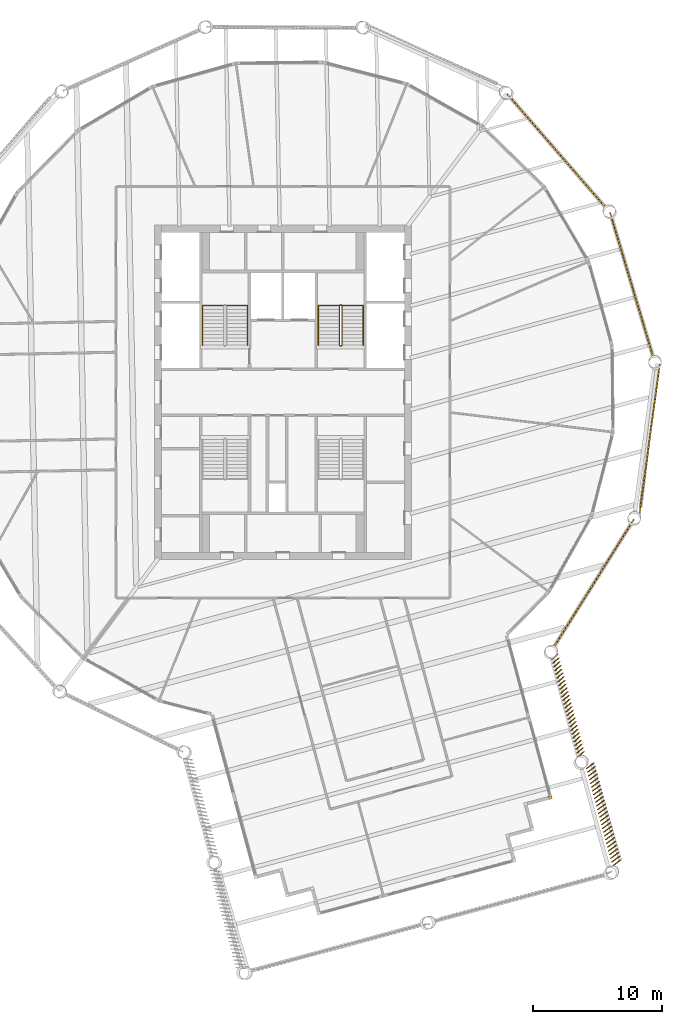
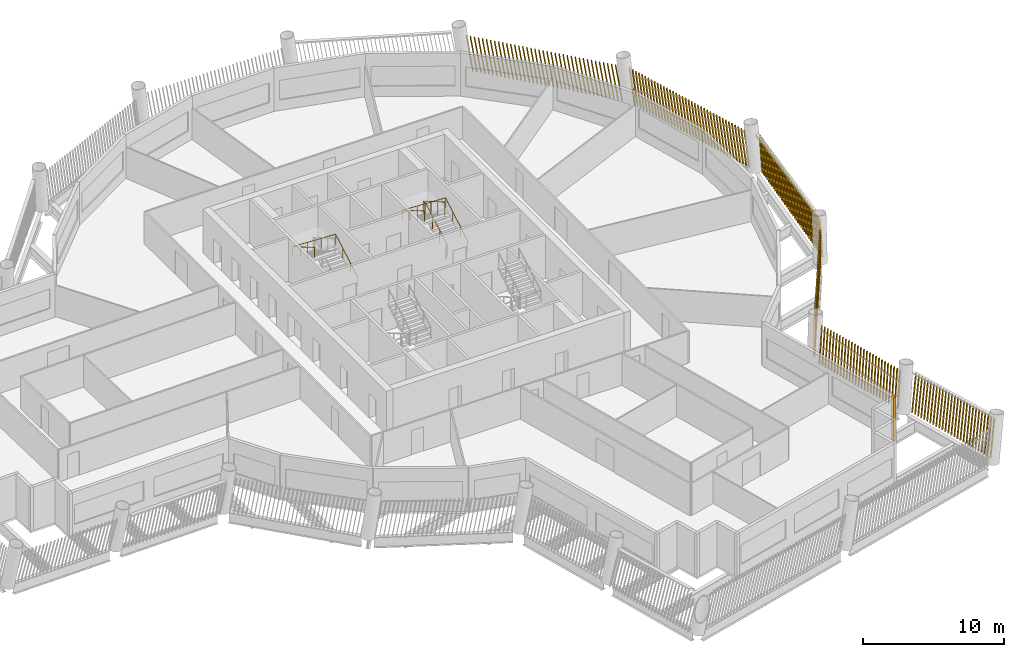
# One storey, part 13 of 15: 7 shading devices, 3 railings.
"""IFC4 building model written with IfcOpenShell, lengths in metres."""

from ifc_helpers import new_model, si_unit, direction, frame, frame_2d, origin, origin_2d, place, context, subcontext, project, spatial, rectangle, circle, composite_profile, extrude, material, type_object, element, save


model = new_model("IFC4")

# Units and contexts
model_context = context("Model", 3, precision=1e-05, world=origin(), true_north=direction((0.0, 1.0)))
body_context = subcontext(model_context, "Body", "Model", "MODEL_VIEW")
ifc_project = project(units=[si_unit("LENGTHUNIT", "METRE"), si_unit("AREAUNIT", "SQUARE_METRE"), si_unit("VOLUMEUNIT", "CUBIC_METRE"), si_unit("PLANEANGLEUNIT", "RADIAN"), si_unit("MASSUNIT", "GRAM", prefix="KILO")], contexts=[model_context])

# Site, building, storey
site_placement = place(None, origin())
site = spatial("IfcSite", under=ifc_project, at=site_placement, CompositionType="ELEMENT")
building_placement = place(site_placement, origin())
building = spatial("IfcBuilding", under=site, at=building_placement, Name="Tarsis Ring Headquarters", CompositionType="ELEMENT")
storey_placement = place(building_placement, frame((0.0, 0.0, 290.300048828125)))
storey = spatial("IfcBuildingStorey", under=building, at=storey_placement, Name="L68", CompositionType="ELEMENT", Elevation=290.300048828125)

# Railings
ifc_material_1 = material(Name="Steel S355", Category="steel")
railing_type_1 = type_object("IfcRailingType", Name="Core stair guard 1100", PredefinedType="GUARDRAIL", material=ifc_material_1)
railing_1_placement = place(storey_placement, frame((4.4599609375, 3.610107421875, 0.0)))
element("IfcRailing", 1, at=railing_1_placement, inside=storey, type_object=railing_type_1, Name="L68 ST2 stair guard 1", PredefinedType="GUARDRAIL", context=body_context, shape_type="SweptSolid", body=[
    extrude(circle(Radius=0.02392578125, at=origin_2d()), frame((0.0, 0.0, 1.076171875), z_axis=(1.0, 0.0, 0.0), x_axis=(0.0, 1.0, 0.0)), (0.0, 0.0, 1.0), 0.080078125),
    extrude(circle(Radius=0.02392578125, at=origin_2d()), frame((0.080078125, 0.0, 1.076171875), z_axis=(0.282693820306, 0.281314826061, 0.917031173188), x_axis=(-0.705375805398, 0.708833529934, 0.0)), (0.0, 0.0, 1.0), 0.177001953125),
    extrude(circle(Radius=0.02392578125, at=origin_2d()), frame((0.130126953125, 0.0498046875, 1.23828125), z_axis=(0.0, 0.864890721111, 0.501960198159), x_axis=(-1.0, 0.0, 0.0)), (0.0, 0.0, 1.0), 3.561279296875),
    extrude(circle(Radius=0.02392578125, at=origin_2d()), frame((0.130126953125, 3.1298828125, 3.02587890625), z_axis=(-0.707106781187, 0.707106781187, 0.0), x_axis=(-0.707106781187, -0.707106781187, 0.0)), (0.0, 0.0, 1.0), 0.07080078125),
    extrude(circle(Radius=0.02392578125, at=origin_2d()), frame((0.080078125, 3.179931640625, 3.02587890625), z_axis=(-1.0, 0.0, 0.0), x_axis=(0.0, -1.0, 0.0)), (0.0, 0.0, 1.0), 0.080078125),
    extrude(circle(Radius=0.02392578125, at=origin_2d()), frame((0.0, 3.179931640625, 3.02587890625), z_axis=(-0.282227285176, -0.282227285176, 0.916894497205), x_axis=(0.707106781187, -0.707106781187, 0.0)), (0.0, 0.0, 1.0), 0.17724609375),
    extrude(circle(Radius=0.02392578125, at=origin_2d()), frame((-0.050048828125, 3.1298828125, 3.1884765625), z_axis=(0.0, -0.864920483161, 0.501908913857), x_axis=(1.0, 0.0, 0.0)), (0.0, 0.0, 1.0), 3.56103515625),
    extrude(circle(Radius=0.02099609375, at=origin_2d()), origin(), (0.0, 0.0, 1.0), 1.052001953125),
    extrude(circle(Radius=0.02099609375, at=origin_2d()), frame((0.080078125, 0.0, 0.0)), (0.0, 0.0, 1.0), 1.052001953125),
    extrude(circle(Radius=0.02099609375, at=origin_2d()), frame((0.130126953125, 0.0498046875, 0.162353515625)), (0.0, 0.0, 1.0), 1.052001953125),
    extrude(circle(Radius=0.02099609375, at=origin_2d()), frame((0.130126953125, 1.076416015625, 0.75830078125)), (0.0, 0.0, 1.0), 1.052001953125),
    extrude(circle(Radius=0.02099609375, at=origin_2d()), frame((0.130126953125, 2.103271484375, 1.35400390625)), (0.0, 0.0, 1.0), 1.052001953125),
    extrude(circle(Radius=0.02099609375, at=origin_2d()), frame((0.130126953125, 3.1298828125, 1.949951171875)), (0.0, 0.0, 1.0), 1.052001953125),
    extrude(circle(Radius=0.02099609375, at=origin_2d()), frame((0.080078125, 3.179931640625, 1.949951171875)), (0.0, 0.0, 1.0), 1.052001953125),
    extrude(circle(Radius=0.02099609375, at=origin_2d()), frame((0.0, 3.179931640625, 1.949951171875)), (0.0, 0.0, 1.0), 1.052001953125),
    extrude(circle(Radius=0.02099609375, at=origin_2d()), frame((-0.050048828125, 3.1298828125, 2.112548828125)), (0.0, 0.0, 1.0), 1.052001953125),
    extrude(circle(Radius=0.02099609375, at=origin_2d()), frame((-0.050048828125, 2.103271484375, 2.708251953125)), (0.0, 0.0, 1.0), 1.052001953125),
    extrude(circle(Radius=0.02099609375, at=origin_2d()), frame((-0.050048828125, 1.076416015625, 3.30419921875)), (0.0, 0.0, 1.0), 1.052001953125),
    extrude(circle(Radius=0.02099609375, at=origin_2d()), frame((-0.050048828125, 0.0498046875, 3.89990234375)), (0.0, 0.0, 1.0), 1.052001953125),
])
railing_type_2 = type_object("IfcRailingType", Name="Core stair handrail 900", PredefinedType="HANDRAIL", material=ifc_material_1)
railing_2_placement = place(storey_placement, frame((-2.75, 3.659912109375, 0.162353515625)))
element("IfcRailing", 2, at=railing_2_placement, inside=storey, type_object=railing_type_2, Name="L68 ST1 stair handrail 1", PredefinedType="HANDRAIL", context=body_context, shape_type="SweptSolid", body=[
    extrude(circle(Radius=0.02392578125, at=origin_2d()), frame((0.0, 0.0, 0.8759765625), z_axis=(0.0, 0.864890721111, 0.501960198159), x_axis=(-1.0, 0.0, 0.0)), (0.0, 0.0, 1.0), 3.561279296875),
    extrude(circle(Radius=0.02392578125, at=origin_2d()), frame((0.0, 3.080078125, 2.66357421875), z_axis=(-0.998922641604, 0.0, 0.046406422943), x_axis=(0.0, -1.0, 0.0)), (0.0, 0.0, 1.0), 3.503662109375),
    extrude(circle(Radius=0.02392578125, at=origin_2d()), frame((-3.5, 3.080078125, 2.826171875), z_axis=(0.0, -0.864920483161, 0.501908913857), x_axis=(1.0, 0.0, 0.0)), (0.0, 0.0, 1.0), 3.56103515625),
    extrude(circle(Radius=0.02099609375, at=origin_2d()), origin(), (0.0, 0.0, 1.0), 0.851806640625),
    extrude(circle(Radius=0.02099609375, at=origin_2d()), frame((0.0, 1.026611328125, 0.595947265625)), (0.0, 0.0, 1.0), 0.851806640625),
    extrude(circle(Radius=0.02099609375, at=origin_2d()), frame((0.0, 2.053466796875, 1.191650390625)), (0.0, 0.0, 1.0), 0.851806640625),
    extrude(circle(Radius=0.02099609375, at=origin_2d()), frame((0.0, 3.080078125, 1.78759765625)), (0.0, 0.0, 1.0), 0.851806640625),
    extrude(circle(Radius=0.02099609375, at=origin_2d()), frame((-1.166748046875, 3.080078125, 1.841796875)), (0.0, 0.0, 1.0), 0.851806640625),
    extrude(circle(Radius=0.02099609375, at=origin_2d()), frame((-2.333251953125, 3.080078125, 1.89599609375)), (0.0, 0.0, 1.0), 0.851806640625),
    extrude(circle(Radius=0.02099609375, at=origin_2d()), frame((-3.5, 3.080078125, 1.9501953125)), (0.0, 0.0, 1.0), 0.851806640625),
    extrude(circle(Radius=0.02099609375, at=origin_2d()), frame((-3.5, 2.053466796875, 2.5458984375)), (0.0, 0.0, 1.0), 0.851806640625),
    extrude(circle(Radius=0.02099609375, at=origin_2d()), frame((-3.5, 1.026611328125, 3.141845703125)), (0.0, 0.0, 1.0), 0.851806640625),
    extrude(circle(Radius=0.02099609375, at=origin_2d()), frame((-3.5, 0.0, 3.737548828125)), (0.0, 0.0, 1.0), 0.851806640625),
])
railing_3_placement = place(storey_placement, frame((6.25, 3.659912109375, 0.162353515625)))
element("IfcRailing", 3, at=railing_3_placement, inside=storey, type_object=railing_type_2, Name="L68 ST2 stair handrail 1", PredefinedType="HANDRAIL", context=body_context, shape_type="SweptSolid", body=[
    extrude(circle(Radius=0.02392578125, at=origin_2d()), frame((0.0, 0.0, 0.8759765625), z_axis=(0.0, 0.864890721111, 0.501960198159), x_axis=(-1.0, 0.0, 0.0)), (0.0, 0.0, 1.0), 3.561279296875),
    extrude(circle(Radius=0.02392578125, at=origin_2d()), frame((0.0, 3.080078125, 2.66357421875), z_axis=(-0.998922641604, 0.0, 0.046406422943), x_axis=(0.0, -1.0, 0.0)), (0.0, 0.0, 1.0), 3.503662109375),
    extrude(circle(Radius=0.02392578125, at=origin_2d()), frame((-3.5, 3.080078125, 2.826171875), z_axis=(0.0, -0.864920483161, 0.501908913857), x_axis=(1.0, 0.0, 0.0)), (0.0, 0.0, 1.0), 3.56103515625),
    extrude(circle(Radius=0.02099609375, at=origin_2d()), origin(), (0.0, 0.0, 1.0), 0.851806640625),
    extrude(circle(Radius=0.02099609375, at=origin_2d()), frame((0.0, 1.026611328125, 0.595947265625)), (0.0, 0.0, 1.0), 0.851806640625),
    extrude(circle(Radius=0.02099609375, at=origin_2d()), frame((0.0, 2.053466796875, 1.191650390625)), (0.0, 0.0, 1.0), 0.851806640625),
    extrude(circle(Radius=0.02099609375, at=origin_2d()), frame((0.0, 3.080078125, 1.78759765625)), (0.0, 0.0, 1.0), 0.851806640625),
    extrude(circle(Radius=0.02099609375, at=origin_2d()), frame((-1.166748046875, 3.080078125, 1.841796875)), (0.0, 0.0, 1.0), 0.851806640625),
    extrude(circle(Radius=0.02099609375, at=origin_2d()), frame((-2.333251953125, 3.080078125, 1.89599609375)), (0.0, 0.0, 1.0), 0.851806640625),
    extrude(circle(Radius=0.02099609375, at=origin_2d()), frame((-3.5, 3.080078125, 1.9501953125)), (0.0, 0.0, 1.0), 0.851806640625),
    extrude(circle(Radius=0.02099609375, at=origin_2d()), frame((-3.5, 2.053466796875, 2.5458984375)), (0.0, 0.0, 1.0), 0.851806640625),
    extrude(circle(Radius=0.02099609375, at=origin_2d()), frame((-3.5, 1.026611328125, 3.141845703125)), (0.0, 0.0, 1.0), 0.851806640625),
    extrude(circle(Radius=0.02099609375, at=origin_2d()), frame((-3.5, 0.0, 3.737548828125)), (0.0, 0.0, 1.0), 0.851806640625),
])

# Shading devices
ifc_material_2 = material(Name="Terracotta baguette", Category="masonry")
shading_device_type_1 = type_object("IfcShadingDeviceType", Name="Terracotta baguette screen", PredefinedType="USERDEFINED", material=ifc_material_2)
shading_device_1_placement = place(storey_placement, frame((25.683349609375, -36.87744140625, 0.0), z_axis=(0.0, 0.0, 1.0), x_axis=(-0.2608440435, 0.965367029165, 0.0)))
element("IfcShadingDevice", 4, at=shading_device_1_placement, inside=storey, type_object=shading_device_type_1, Name="Baguette screen L68-05", ObjectType="Terracotta baguette screen", PredefinedType="USERDEFINED", context=body_context, shape_type="SweptSolid", body=[
    extrude(composite_profile([rectangle(XDim=0.06005859375, YDim=0.1201171875, at=frame_2d((0.030029296875, 0.0))), rectangle(XDim=0.06005859375, YDim=0.1201171875, at=frame_2d((0.33154296875, 0.0))), rectangle(XDim=0.06005859375, YDim=0.1201171875, at=frame_2d((0.63330078125, 0.0))), rectangle(XDim=0.06005859375, YDim=0.1201171875, at=frame_2d((0.934814453125, 0.0))), rectangle(XDim=0.06005859375, YDim=0.1201171875, at=frame_2d((1.236572265625, 0.0))), rectangle(XDim=0.06005859375, YDim=0.1201171875, at=frame_2d((1.5380859375, 0.0))), rectangle(XDim=0.06005859375, YDim=0.1201171875, at=frame_2d((1.83984375, 0.0))), rectangle(XDim=0.06005859375, YDim=0.1201171875, at=frame_2d((2.141357421875, 0.0))), rectangle(XDim=0.06005859375, YDim=0.1201171875, at=frame_2d((2.443115234375, 0.0))), rectangle(XDim=0.06005859375, YDim=0.1201171875, at=frame_2d((2.74462890625, 0.0))), rectangle(XDim=0.06005859375, YDim=0.1201171875, at=frame_2d((3.04638671875, 0.0))), rectangle(XDim=0.06005859375, YDim=0.1201171875, at=frame_2d((3.347900390625, 0.0))), rectangle(XDim=0.06005859375, YDim=0.1201171875, at=frame_2d((3.649658203125, 0.0))), rectangle(XDim=0.06005859375, YDim=0.1201171875, at=frame_2d((3.951171875, 0.0))), rectangle(XDim=0.06005859375, YDim=0.1201171875, at=frame_2d((4.252685546875, 0.0))), rectangle(XDim=0.06005859375, YDim=0.1201171875, at=frame_2d((4.554443359375, 0.0))), rectangle(XDim=0.06005859375, YDim=0.1201171875, at=frame_2d((4.85595703125, 0.0))), rectangle(XDim=0.06005859375, YDim=0.1201171875, at=frame_2d((5.15771484375, 0.0))), rectangle(XDim=0.06005859375, YDim=0.1201171875, at=frame_2d((5.459228515625, 0.0))), rectangle(XDim=0.06005859375, YDim=0.1201171875, at=frame_2d((5.760986328125, 0.0))), rectangle(XDim=0.06005859375, YDim=0.1201171875, at=frame_2d((6.0625, 0.0))), rectangle(XDim=0.06005859375, YDim=0.1201171875, at=frame_2d((6.3642578125, 0.0))), rectangle(XDim=0.06005859375, YDim=0.1201171875, at=frame_2d((6.665771484375, 0.0))), rectangle(XDim=0.06005859375, YDim=0.1201171875, at=frame_2d((6.967529296875, 0.0))), rectangle(XDim=0.06005859375, YDim=0.1201171875, at=frame_2d((7.26904296875, 0.0))), rectangle(XDim=0.06005859375, YDim=0.1201171875, at=frame_2d((7.57080078125, 0.0))), rectangle(XDim=0.06005859375, YDim=0.1201171875, at=frame_2d((7.872314453125, 0.0)))]), origin(), (0.088634640448, -0.218402639316, 0.971825183689), 3.0537109375),
])
shading_device_2_placement = place(storey_placement, frame((22.999267578125, -28.381103515625, 0.0), z_axis=(0.0, 0.0, 1.0), x_axis=(-0.2608440435, 0.965367029165, 0.0)))
element("IfcShadingDevice", 5, at=shading_device_2_placement, inside=storey, type_object=shading_device_type_1, Name="Baguette screen L68-06", ObjectType="Terracotta baguette screen", PredefinedType="USERDEFINED", context=body_context, shape_type="SweptSolid", body=[
    extrude(composite_profile([rectangle(XDim=0.06005859375, YDim=0.1201171875, at=frame_2d((0.030029296875, 0.0))), rectangle(XDim=0.06005859375, YDim=0.1201171875, at=frame_2d((0.33154296875, 0.0))), rectangle(XDim=0.06005859375, YDim=0.1201171875, at=frame_2d((0.63330078125, 0.0))), rectangle(XDim=0.06005859375, YDim=0.1201171875, at=frame_2d((0.934814453125, 0.0))), rectangle(XDim=0.06005859375, YDim=0.1201171875, at=frame_2d((1.236572265625, 0.0))), rectangle(XDim=0.06005859375, YDim=0.1201171875, at=frame_2d((1.5380859375, 0.0))), rectangle(XDim=0.06005859375, YDim=0.1201171875, at=frame_2d((1.83984375, 0.0))), rectangle(XDim=0.06005859375, YDim=0.1201171875, at=frame_2d((2.141357421875, 0.0))), rectangle(XDim=0.06005859375, YDim=0.1201171875, at=frame_2d((2.443115234375, 0.0))), rectangle(XDim=0.06005859375, YDim=0.1201171875, at=frame_2d((2.74462890625, 0.0))), rectangle(XDim=0.06005859375, YDim=0.1201171875, at=frame_2d((3.04638671875, 0.0))), rectangle(XDim=0.06005859375, YDim=0.1201171875, at=frame_2d((3.347900390625, 0.0))), rectangle(XDim=0.06005859375, YDim=0.1201171875, at=frame_2d((3.649658203125, 0.0))), rectangle(XDim=0.06005859375, YDim=0.1201171875, at=frame_2d((3.951171875, 0.0))), rectangle(XDim=0.06005859375, YDim=0.1201171875, at=frame_2d((4.252685546875, 0.0))), rectangle(XDim=0.06005859375, YDim=0.1201171875, at=frame_2d((4.554443359375, 0.0))), rectangle(XDim=0.06005859375, YDim=0.1201171875, at=frame_2d((4.85595703125, 0.0))), rectangle(XDim=0.06005859375, YDim=0.1201171875, at=frame_2d((5.15771484375, 0.0))), rectangle(XDim=0.06005859375, YDim=0.1201171875, at=frame_2d((5.459228515625, 0.0))), rectangle(XDim=0.06005859375, YDim=0.1201171875, at=frame_2d((5.760986328125, 0.0))), rectangle(XDim=0.06005859375, YDim=0.1201171875, at=frame_2d((6.0625, 0.0))), rectangle(XDim=0.06005859375, YDim=0.1201171875, at=frame_2d((6.3642578125, 0.0))), rectangle(XDim=0.06005859375, YDim=0.1201171875, at=frame_2d((6.665771484375, 0.0))), rectangle(XDim=0.06005859375, YDim=0.1201171875, at=frame_2d((6.967529296875, 0.0))), rectangle(XDim=0.06005859375, YDim=0.1201171875, at=frame_2d((7.26904296875, 0.0))), rectangle(XDim=0.06005859375, YDim=0.1201171875, at=frame_2d((7.57080078125, 0.0))), rectangle(XDim=0.06005859375, YDim=0.1201171875, at=frame_2d((7.872314453125, 0.0)))]), origin(), (0.086924684127, -0.169253976383, 0.98173173055), 3.02294921875),
])
shading_device_3_placement = place(storey_placement, frame((21.072998046875, -19.84619140625, 0.0), z_axis=(0.0, 0.0, 1.0), x_axis=(0.531079086726, 0.847317475475, 0.0)))
element("IfcShadingDevice", 6, at=shading_device_3_placement, inside=storey, type_object=shading_device_type_1, Name="Baguette screen L68-07", ObjectType="Terracotta baguette screen", PredefinedType="USERDEFINED", context=body_context, shape_type="SweptSolid", body=[
    extrude(composite_profile([rectangle(XDim=0.06005859375, YDim=0.1201171875, at=frame_2d((0.030029296875, 0.0))), rectangle(XDim=0.06005859375, YDim=0.1201171875, at=frame_2d((0.33251953125, 0.0))), rectangle(XDim=0.06005859375, YDim=0.1201171875, at=frame_2d((0.634765625, 0.0))), rectangle(XDim=0.06005859375, YDim=0.1201171875, at=frame_2d((0.937255859375, 0.0))), rectangle(XDim=0.06005859375, YDim=0.1201171875, at=frame_2d((1.239501953125, 0.0))), rectangle(XDim=0.06005859375, YDim=0.1201171875, at=frame_2d((1.5419921875, 0.0))), rectangle(XDim=0.06005859375, YDim=0.1201171875, at=frame_2d((1.844482421875, 0.0))), rectangle(XDim=0.06005859375, YDim=0.1201171875, at=frame_2d((2.146728515625, 0.0))), rectangle(XDim=0.06005859375, YDim=0.1201171875, at=frame_2d((2.44921875, 0.0))), rectangle(XDim=0.06005859375, YDim=0.1201171875, at=frame_2d((2.751708984375, 0.0))), rectangle(XDim=0.06005859375, YDim=0.1201171875, at=frame_2d((3.053955078125, 0.0))), rectangle(XDim=0.06005859375, YDim=0.1201171875, at=frame_2d((3.3564453125, 0.0))), rectangle(XDim=0.06005859375, YDim=0.1201171875, at=frame_2d((3.65869140625, 0.0))), rectangle(XDim=0.06005859375, YDim=0.1201171875, at=frame_2d((3.961181640625, 0.0))), rectangle(XDim=0.06005859375, YDim=0.1201171875, at=frame_2d((4.263671875, 0.0))), rectangle(XDim=0.06005859375, YDim=0.1201171875, at=frame_2d((4.56591796875, 0.0))), rectangle(XDim=0.06005859375, YDim=0.1201171875, at=frame_2d((4.868408203125, 0.0))), rectangle(XDim=0.06005859375, YDim=0.1201171875, at=frame_2d((5.1708984375, 0.0))), rectangle(XDim=0.06005859375, YDim=0.1201171875, at=frame_2d((5.47314453125, 0.0))), rectangle(XDim=0.06005859375, YDim=0.1201171875, at=frame_2d((5.775634765625, 0.0))), rectangle(XDim=0.06005859375, YDim=0.1201171875, at=frame_2d((6.077880859375, 0.0))), rectangle(XDim=0.06005859375, YDim=0.1201171875, at=frame_2d((6.38037109375, 0.0))), rectangle(XDim=0.06005859375, YDim=0.1201171875, at=frame_2d((6.682861328125, 0.0))), rectangle(XDim=0.06005859375, YDim=0.1201171875, at=frame_2d((6.985107421875, 0.0))), rectangle(XDim=0.06005859375, YDim=0.1201171875, at=frame_2d((7.28759765625, 0.0))), rectangle(XDim=0.06005859375, YDim=0.1201171875, at=frame_2d((7.590087890625, 0.0))), rectangle(XDim=0.06005859375, YDim=0.1201171875, at=frame_2d((7.892333984375, 0.0))), rectangle(XDim=0.06005859375, YDim=0.1201171875, at=frame_2d((8.19482421875, 0.0))), rectangle(XDim=0.06005859375, YDim=0.1201171875, at=frame_2d((8.4970703125, 0.0))), rectangle(XDim=0.06005859375, YDim=0.1201171875, at=frame_2d((8.799560546875, 0.0))), rectangle(XDim=0.06005859375, YDim=0.1201171875, at=frame_2d((9.10205078125, 0.0))), rectangle(XDim=0.06005859375, YDim=0.1201171875, at=frame_2d((9.404296875, 0.0))), rectangle(XDim=0.06005859375, YDim=0.1201171875, at=frame_2d((9.706787109375, 0.0))), rectangle(XDim=0.06005859375, YDim=0.1201171875, at=frame_2d((10.00927734375, 0.0))), rectangle(XDim=0.06005859375, YDim=0.1201171875, at=frame_2d((10.3115234375, 0.0))), rectangle(XDim=0.06005859375, YDim=0.1201171875, at=frame_2d((10.614013671875, 0.0))), rectangle(XDim=0.06005859375, YDim=0.1201171875, at=frame_2d((10.916259765625, 0.0))), rectangle(XDim=0.06005859375, YDim=0.1201171875, at=frame_2d((11.21875, 0.0)))]), origin(), (0.164702573691, 0.001436791522, 0.986342231606), 3.0087890625),
])
shading_device_4_placement = place(storey_placement, frame((27.75146484375, -9.446044921875, 0.0), z_axis=(0.0, 0.0, 1.0), x_axis=(0.134628323386, 0.990906131308, 0.0)))
element("IfcShadingDevice", 7, at=shading_device_4_placement, inside=storey, type_object=shading_device_type_1, Name="Baguette screen L68-08", ObjectType="Terracotta baguette screen", PredefinedType="USERDEFINED", context=body_context, shape_type="SweptSolid", body=[
    extrude(composite_profile([rectangle(XDim=0.06005859375, YDim=0.1201171875, at=frame_2d((0.030029296875, 0.0))), rectangle(XDim=0.06005859375, YDim=0.1201171875, at=frame_2d((0.33251953125, 0.0))), rectangle(XDim=0.06005859375, YDim=0.1201171875, at=frame_2d((0.634765625, 0.0))), rectangle(XDim=0.06005859375, YDim=0.1201171875, at=frame_2d((0.937255859375, 0.0))), rectangle(XDim=0.06005859375, YDim=0.1201171875, at=frame_2d((1.239501953125, 0.0))), rectangle(XDim=0.06005859375, YDim=0.1201171875, at=frame_2d((1.5419921875, 0.0))), rectangle(XDim=0.06005859375, YDim=0.1201171875, at=frame_2d((1.844482421875, 0.0))), rectangle(XDim=0.06005859375, YDim=0.1201171875, at=frame_2d((2.146728515625, 0.0))), rectangle(XDim=0.06005859375, YDim=0.1201171875, at=frame_2d((2.44921875, 0.0))), rectangle(XDim=0.06005859375, YDim=0.1201171875, at=frame_2d((2.751708984375, 0.0))), rectangle(XDim=0.06005859375, YDim=0.1201171875, at=frame_2d((3.053955078125, 0.0))), rectangle(XDim=0.06005859375, YDim=0.1201171875, at=frame_2d((3.3564453125, 0.0))), rectangle(XDim=0.06005859375, YDim=0.1201171875, at=frame_2d((3.65869140625, 0.0))), rectangle(XDim=0.06005859375, YDim=0.1201171875, at=frame_2d((3.961181640625, 0.0))), rectangle(XDim=0.06005859375, YDim=0.1201171875, at=frame_2d((4.263671875, 0.0))), rectangle(XDim=0.06005859375, YDim=0.1201171875, at=frame_2d((4.56591796875, 0.0))), rectangle(XDim=0.06005859375, YDim=0.1201171875, at=frame_2d((4.868408203125, 0.0))), rectangle(XDim=0.06005859375, YDim=0.1201171875, at=frame_2d((5.1708984375, 0.0))), rectangle(XDim=0.06005859375, YDim=0.1201171875, at=frame_2d((5.47314453125, 0.0))), rectangle(XDim=0.06005859375, YDim=0.1201171875, at=frame_2d((5.775634765625, 0.0))), rectangle(XDim=0.06005859375, YDim=0.1201171875, at=frame_2d((6.077880859375, 0.0))), rectangle(XDim=0.06005859375, YDim=0.1201171875, at=frame_2d((6.38037109375, 0.0))), rectangle(XDim=0.06005859375, YDim=0.1201171875, at=frame_2d((6.682861328125, 0.0))), rectangle(XDim=0.06005859375, YDim=0.1201171875, at=frame_2d((6.985107421875, 0.0))), rectangle(XDim=0.06005859375, YDim=0.1201171875, at=frame_2d((7.28759765625, 0.0))), rectangle(XDim=0.06005859375, YDim=0.1201171875, at=frame_2d((7.590087890625, 0.0))), rectangle(XDim=0.06005859375, YDim=0.1201171875, at=frame_2d((7.892333984375, 0.0))), rectangle(XDim=0.06005859375, YDim=0.1201171875, at=frame_2d((8.19482421875, 0.0))), rectangle(XDim=0.06005859375, YDim=0.1201171875, at=frame_2d((8.4970703125, 0.0))), rectangle(XDim=0.06005859375, YDim=0.1201171875, at=frame_2d((8.799560546875, 0.0))), rectangle(XDim=0.06005859375, YDim=0.1201171875, at=frame_2d((9.10205078125, 0.0))), rectangle(XDim=0.06005859375, YDim=0.1201171875, at=frame_2d((9.404296875, 0.0))), rectangle(XDim=0.06005859375, YDim=0.1201171875, at=frame_2d((9.706787109375, 0.0))), rectangle(XDim=0.06005859375, YDim=0.1201171875, at=frame_2d((10.00927734375, 0.0))), rectangle(XDim=0.06005859375, YDim=0.1201171875, at=frame_2d((10.3115234375, 0.0))), rectangle(XDim=0.06005859375, YDim=0.1201171875, at=frame_2d((10.614013671875, 0.0))), rectangle(XDim=0.06005859375, YDim=0.1201171875, at=frame_2d((10.916259765625, 0.0))), rectangle(XDim=0.06005859375, YDim=0.1201171875, at=frame_2d((11.21875, 0.0)))]), origin(), (0.166819869306, 0.001458247526, 0.985986310614), 3.010009765625),
])
shading_device_5_placement = place(storey_placement, frame((28.818603515625, 2.725341796875, 0.0), z_axis=(0.0, 0.0, 1.0), x_axis=(-0.285788696935, 0.958286309575, 0.0)))
element("IfcShadingDevice", 8, at=shading_device_5_placement, inside=storey, type_object=shading_device_type_1, Name="Baguette screen L68-09", ObjectType="Terracotta baguette screen", PredefinedType="USERDEFINED", context=body_context, shape_type="SweptSolid", body=[
    extrude(composite_profile([rectangle(XDim=0.06005859375, YDim=0.1201171875, at=frame_2d((0.030029296875, 0.0))), rectangle(XDim=0.06005859375, YDim=0.1201171875, at=frame_2d((0.33251953125, 0.0))), rectangle(XDim=0.06005859375, YDim=0.1201171875, at=frame_2d((0.634765625, 0.0))), rectangle(XDim=0.06005859375, YDim=0.1201171875, at=frame_2d((0.937255859375, 0.0))), rectangle(XDim=0.06005859375, YDim=0.1201171875, at=frame_2d((1.239501953125, 0.0))), rectangle(XDim=0.06005859375, YDim=0.1201171875, at=frame_2d((1.5419921875, 0.0))), rectangle(XDim=0.06005859375, YDim=0.1201171875, at=frame_2d((1.844482421875, 0.0))), rectangle(XDim=0.06005859375, YDim=0.1201171875, at=frame_2d((2.146728515625, 0.0))), rectangle(XDim=0.06005859375, YDim=0.1201171875, at=frame_2d((2.44921875, 0.0))), rectangle(XDim=0.06005859375, YDim=0.1201171875, at=frame_2d((2.751708984375, 0.0))), rectangle(XDim=0.06005859375, YDim=0.1201171875, at=frame_2d((3.053955078125, 0.0))), rectangle(XDim=0.06005859375, YDim=0.1201171875, at=frame_2d((3.3564453125, 0.0))), rectangle(XDim=0.06005859375, YDim=0.1201171875, at=frame_2d((3.65869140625, 0.0))), rectangle(XDim=0.06005859375, YDim=0.1201171875, at=frame_2d((3.961181640625, 0.0))), rectangle(XDim=0.06005859375, YDim=0.1201171875, at=frame_2d((4.263671875, 0.0))), rectangle(XDim=0.06005859375, YDim=0.1201171875, at=frame_2d((4.56591796875, 0.0))), rectangle(XDim=0.06005859375, YDim=0.1201171875, at=frame_2d((4.868408203125, 0.0))), rectangle(XDim=0.06005859375, YDim=0.1201171875, at=frame_2d((5.1708984375, 0.0))), rectangle(XDim=0.06005859375, YDim=0.1201171875, at=frame_2d((5.47314453125, 0.0))), rectangle(XDim=0.06005859375, YDim=0.1201171875, at=frame_2d((5.775634765625, 0.0))), rectangle(XDim=0.06005859375, YDim=0.1201171875, at=frame_2d((6.077880859375, 0.0))), rectangle(XDim=0.06005859375, YDim=0.1201171875, at=frame_2d((6.38037109375, 0.0))), rectangle(XDim=0.06005859375, YDim=0.1201171875, at=frame_2d((6.682861328125, 0.0))), rectangle(XDim=0.06005859375, YDim=0.1201171875, at=frame_2d((6.985107421875, 0.0))), rectangle(XDim=0.06005859375, YDim=0.1201171875, at=frame_2d((7.28759765625, 0.0))), rectangle(XDim=0.06005859375, YDim=0.1201171875, at=frame_2d((7.590087890625, 0.0))), rectangle(XDim=0.06005859375, YDim=0.1201171875, at=frame_2d((7.892333984375, 0.0))), rectangle(XDim=0.06005859375, YDim=0.1201171875, at=frame_2d((8.19482421875, 0.0))), rectangle(XDim=0.06005859375, YDim=0.1201171875, at=frame_2d((8.4970703125, 0.0))), rectangle(XDim=0.06005859375, YDim=0.1201171875, at=frame_2d((8.799560546875, 0.0))), rectangle(XDim=0.06005859375, YDim=0.1201171875, at=frame_2d((9.10205078125, 0.0))), rectangle(XDim=0.06005859375, YDim=0.1201171875, at=frame_2d((9.404296875, 0.0))), rectangle(XDim=0.06005859375, YDim=0.1201171875, at=frame_2d((9.706787109375, 0.0))), rectangle(XDim=0.06005859375, YDim=0.1201171875, at=frame_2d((10.00927734375, 0.0))), rectangle(XDim=0.06005859375, YDim=0.1201171875, at=frame_2d((10.3115234375, 0.0))), rectangle(XDim=0.06005859375, YDim=0.1201171875, at=frame_2d((10.614013671875, 0.0))), rectangle(XDim=0.06005859375, YDim=0.1201171875, at=frame_2d((10.916259765625, 0.0))), rectangle(XDim=0.06005859375, YDim=0.1201171875, at=frame_2d((11.21875, 0.0)))]), origin(), (0.164702331616, 0.001437777935, 0.986342270591), 3.0087890625),
])
shading_device_6_placement = place(storey_placement, frame((25.13330078125, 14.36181640625, 0.0), z_axis=(0.0, 0.0, 1.0), x_axis=(-0.655373730359, 0.755295598576, 0.0)))
element("IfcShadingDevice", 9, at=shading_device_6_placement, inside=storey, type_object=shading_device_type_1, Name="Baguette screen L68-10", ObjectType="Terracotta baguette screen", PredefinedType="USERDEFINED", context=body_context, shape_type="SweptSolid", body=[
    extrude(composite_profile([rectangle(XDim=0.06005859375, YDim=0.1201171875, at=frame_2d((0.030029296875, 0.0))), rectangle(XDim=0.06005859375, YDim=0.1201171875, at=frame_2d((0.33251953125, 0.0))), rectangle(XDim=0.06005859375, YDim=0.1201171875, at=frame_2d((0.634765625, 0.0))), rectangle(XDim=0.06005859375, YDim=0.1201171875, at=frame_2d((0.937255859375, 0.0))), rectangle(XDim=0.06005859375, YDim=0.1201171875, at=frame_2d((1.239501953125, 0.0))), rectangle(XDim=0.06005859375, YDim=0.1201171875, at=frame_2d((1.5419921875, 0.0))), rectangle(XDim=0.06005859375, YDim=0.1201171875, at=frame_2d((1.844482421875, 0.0))), rectangle(XDim=0.06005859375, YDim=0.1201171875, at=frame_2d((2.146728515625, 0.0))), rectangle(XDim=0.06005859375, YDim=0.1201171875, at=frame_2d((2.44921875, 0.0))), rectangle(XDim=0.06005859375, YDim=0.1201171875, at=frame_2d((2.751708984375, 0.0))), rectangle(XDim=0.06005859375, YDim=0.1201171875, at=frame_2d((3.053955078125, 0.0))), rectangle(XDim=0.06005859375, YDim=0.1201171875, at=frame_2d((3.3564453125, 0.0))), rectangle(XDim=0.06005859375, YDim=0.1201171875, at=frame_2d((3.65869140625, 0.0))), rectangle(XDim=0.06005859375, YDim=0.1201171875, at=frame_2d((3.961181640625, 0.0))), rectangle(XDim=0.06005859375, YDim=0.1201171875, at=frame_2d((4.263671875, 0.0))), rectangle(XDim=0.06005859375, YDim=0.1201171875, at=frame_2d((4.56591796875, 0.0))), rectangle(XDim=0.06005859375, YDim=0.1201171875, at=frame_2d((4.868408203125, 0.0))), rectangle(XDim=0.06005859375, YDim=0.1201171875, at=frame_2d((5.1708984375, 0.0))), rectangle(XDim=0.06005859375, YDim=0.1201171875, at=frame_2d((5.47314453125, 0.0))), rectangle(XDim=0.06005859375, YDim=0.1201171875, at=frame_2d((5.775634765625, 0.0))), rectangle(XDim=0.06005859375, YDim=0.1201171875, at=frame_2d((6.077880859375, 0.0))), rectangle(XDim=0.06005859375, YDim=0.1201171875, at=frame_2d((6.38037109375, 0.0))), rectangle(XDim=0.06005859375, YDim=0.1201171875, at=frame_2d((6.682861328125, 0.0))), rectangle(XDim=0.06005859375, YDim=0.1201171875, at=frame_2d((6.985107421875, 0.0))), rectangle(XDim=0.06005859375, YDim=0.1201171875, at=frame_2d((7.28759765625, 0.0))), rectangle(XDim=0.06005859375, YDim=0.1201171875, at=frame_2d((7.590087890625, 0.0))), rectangle(XDim=0.06005859375, YDim=0.1201171875, at=frame_2d((7.892333984375, 0.0))), rectangle(XDim=0.06005859375, YDim=0.1201171875, at=frame_2d((8.19482421875, 0.0))), rectangle(XDim=0.06005859375, YDim=0.1201171875, at=frame_2d((8.4970703125, 0.0))), rectangle(XDim=0.06005859375, YDim=0.1201171875, at=frame_2d((8.799560546875, 0.0))), rectangle(XDim=0.06005859375, YDim=0.1201171875, at=frame_2d((9.10205078125, 0.0))), rectangle(XDim=0.06005859375, YDim=0.1201171875, at=frame_2d((9.404296875, 0.0))), rectangle(XDim=0.06005859375, YDim=0.1201171875, at=frame_2d((9.706787109375, 0.0))), rectangle(XDim=0.06005859375, YDim=0.1201171875, at=frame_2d((10.00927734375, 0.0))), rectangle(XDim=0.06005859375, YDim=0.1201171875, at=frame_2d((10.3115234375, 0.0))), rectangle(XDim=0.06005859375, YDim=0.1201171875, at=frame_2d((10.614013671875, 0.0))), rectangle(XDim=0.06005859375, YDim=0.1201171875, at=frame_2d((10.916259765625, 0.0))), rectangle(XDim=0.06005859375, YDim=0.1201171875, at=frame_2d((11.21875, 0.0)))]), origin(), (0.164702086497, 0.001438457677, 0.986342310531), 3.0087890625),
])
shading_device_type_2 = type_object("IfcShadingDeviceType", Name="Terracotta corner baguette 250x250", PredefinedType="USERDEFINED", material=ifc_material_2)
shading_device_7_placement = place(storey_placement, frame((20.821533203125, -31.53564453125, 0.0), z_axis=(0.0, 0.0, 1.0), x_axis=(0.965381666149, 0.260841405195, 0.0)))
element("IfcShadingDevice", 10, at=shading_device_7_placement, inside=storey, type_object=shading_device_type_2, Name="Corner baguette L68-16", ObjectType="Terracotta corner baguette", PredefinedType="USERDEFINED", context=body_context, shape_type="SweptSolid", body=[
    extrude(rectangle(XDim=0.25, YDim=0.25, at=origin_2d()), origin(), (0.0, 0.0, 1.0), 3.739990234375),
])

save(model, "model.ifc")
